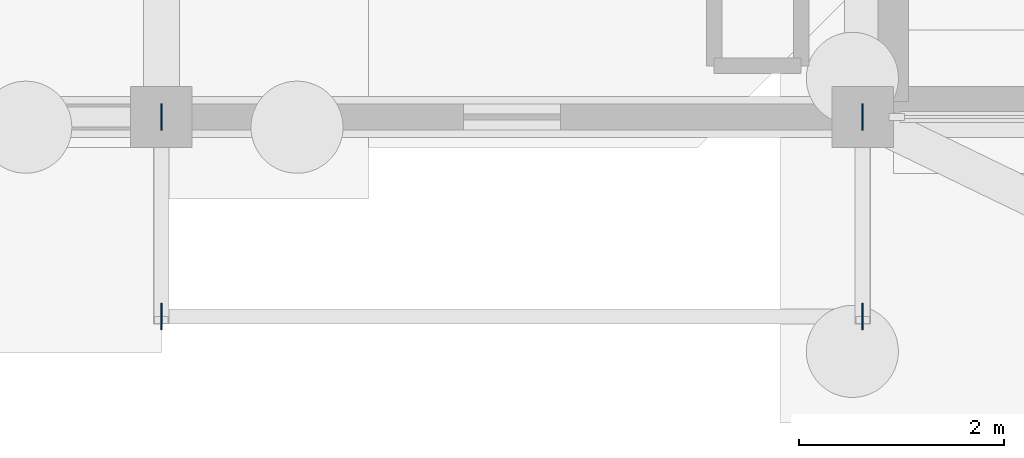
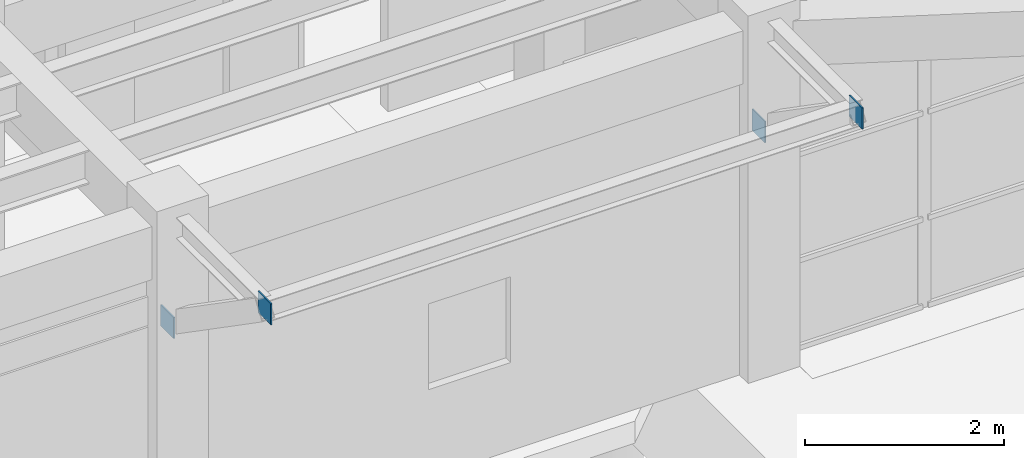
# One storey, part 22 of 41: 4 plates.
"""IFC4 building model written with IfcOpenShell, lengths in metres."""

import ifcopenshell
import ifcopenshell.guid

model = None  # the IFC model being written
_history = None  # IfcOwnerHistory: only IFC2X3 demands one
_inside = {}  # id of a spatial element -> (the spatial element, [elements in it])
_under = {}  # id of a project, library or spatial element -> (it, [spatial elements below it])
_declared = {}  # id of a project -> (the project, [libraries it declares])
_typed = {}  # id of a type object -> (the type object, [elements of that type])
_made_of = {}  # id of a material, layer set ... -> (it, [elements and type objects made of it])


def new_model(schema):
    """Start an empty IFC model of exactly this schema.

    Asked for "IFC4X3", IfcOpenShell would pick the latest addendum, in which some entities
    have other attributes; the version numbers below select the first issue.
    IFC2X3 requires an IfcOwnerHistory on every rooted entity: one is made here for all.
    """
    global model, _history
    if schema == "IFC4X3":
        model = ifcopenshell.file(schema_version=(4, 3, 0, 0))
    else:
        model = ifcopenshell.file(schema=schema)
    _inside.clear()
    _under.clear()
    _declared.clear()
    _typed.clear()
    _made_of.clear()
    _history = None
    if model.schema == "IFC2X3":
        org = make("IfcOrganization", Name="unknown")
        user = make(
            "IfcPersonAndOrganization",
            ThePerson=make("IfcPerson", FamilyName="unknown"),
            TheOrganization=org,
        )
        app = make(
            "IfcApplication",
            ApplicationDeveloper=org,
            Version="unknown",
            ApplicationFullName="unknown",
            ApplicationIdentifier="unknown",
        )
        _history = make(
            "IfcOwnerHistory",
            OwningUser=user,
            OwningApplication=app,
            ChangeAction="ADDED",
            CreationDate=0,
        )
    return model


def make(cls, **values):
    """One entity of the class cls with the attributes given. An attribute that is None is left unset."""
    return model.create_entity(
        cls, **{name: value for name, value in values.items() if value is not None}
    )


def rooted(cls, **values):
    """An entity with a GlobalId (a new one), such as an element, a storey or a relation."""
    return make(cls, GlobalId=ifcopenshell.guid.new(), OwnerHistory=_history, **values)


def si_unit(unit_type, name, prefix=None):
    """IfcSIUnit, for example si_unit("LENGTHUNIT", "METRE", prefix="MILLI")."""
    return make("IfcSIUnit", UnitType=unit_type, Prefix=prefix, Name=name)


def assignment(units):
    """IfcUnitAssignment: the units of a project."""
    return None if units is None else make("IfcUnitAssignment", Units=units)


def point(xyz):
    """IfcCartesianPoint."""
    return None if xyz is None else make("IfcCartesianPoint", Coordinates=xyz)


def direction(xyz):
    """IfcDirection."""
    return None if xyz is None else make("IfcDirection", DirectionRatios=xyz)


def frame(location, z_axis=None, x_axis=None):
    """IfcAxis2Placement3D, a coordinate frame: its origin and axes. An axis left out is left unset."""
    return make(
        "IfcAxis2Placement3D",
        Location=point(location),
        Axis=direction(z_axis),
        RefDirection=direction(x_axis),
    )


def frame_2d(location, x_axis=None):
    """IfcAxis2Placement2D, a coordinate frame in the plane: its origin and x axis."""
    return make(
        "IfcAxis2Placement2D", Location=point(location), RefDirection=direction(x_axis)
    )


def origin():
    """The frame at (0, 0, 0) with its axes left unset."""
    return frame((0.0, 0.0, 0.0))


def origin_2d():
    """The frame at (0, 0) in the plane with its x axis left unset."""
    return frame_2d((0.0, 0.0))


def place(relative_to, where):
    """IfcLocalPlacement: puts the frame where relative to a parent placement (None: the world)."""
    return make(
        "IfcLocalPlacement", PlacementRelTo=relative_to, RelativePlacement=where
    )


def context(
    kind, dimensions, precision=None, world=None, true_north=None, identifier=None
):
    """IfcGeometricRepresentationContext, for example the 3D "Model" context."""
    return make(
        "IfcGeometricRepresentationContext",
        ContextIdentifier=identifier,
        ContextType=kind,
        CoordinateSpaceDimension=dimensions,
        Precision=precision,
        WorldCoordinateSystem=world,
        TrueNorth=true_north,
    )


def subcontext(parent, identifier, kind, view, scale=None):
    """IfcGeometricRepresentationSubContext, for example "Body" below "Model"."""
    return make(
        "IfcGeometricRepresentationSubContext",
        ContextIdentifier=identifier,
        ContextType=kind,
        ParentContext=parent,
        TargetScale=scale,
        TargetView=view,
    )


def project(units=None, contexts=None):
    """IfcProject with its units and contexts."""
    return rooted(
        "IfcProject",
        Name="project",
        RepresentationContexts=contexts,
        UnitsInContext=assignment(units),
    )


def spatial(cls, under=None, at=None, **own):
    """A site, building, storey or space (cls), placed at a placement, below another one or the project."""
    s = rooted(cls, ObjectPlacement=at, **own)
    if under is not None:
        _under.setdefault(under.id(), (under, []))[1].append(s)
    return s


def profile(cls, at=None, kind="AREA", **sizes):
    """A parametric profile (cls). Its sizes go by their IFC names, for example OverallWidth=200.0."""
    return make(cls, ProfileType=kind, Position=at, **sizes)


def rectangle(**sizes):
    """IfcRectangleProfileDef."""
    return profile("IfcRectangleProfileDef", **sizes)


def extrude(swept, where, along, depth):
    """IfcExtrudedAreaSolid: the profile swept, set in the frame where, extruded along a direction by depth."""
    return make(
        "IfcExtrudedAreaSolid",
        SweptArea=swept,
        Position=where,
        ExtrudedDirection=direction(along),
        Depth=depth,
    )


def shape(context_of_items, identifier, shape_type, items):
    """IfcShapeRepresentation: the items that make up one representation, for example the "Body"."""
    return make(
        "IfcShapeRepresentation",
        ContextOfItems=context_of_items,
        RepresentationIdentifier=identifier,
        RepresentationType=shape_type,
        Items=items,
    )


def material(Name=None, Category=None):
    """IfcMaterial."""
    return make("IfcMaterial", Name=Name, Category=Category)


def layer(
    of_material, thickness, ventilated=None, Name=None, Category=None, Priority=None
):
    """IfcMaterialLayer: one layer of a wall or slab, of a material (None: an air gap)."""
    return make(
        "IfcMaterialLayer",
        Material=of_material,
        LayerThickness=thickness,
        IsVentilated=ventilated,
        Name=Name,
        Category=Category,
        Priority=Priority,
    )


def layer_set(layers, Name=None):
    """IfcMaterialLayerSet."""
    return make("IfcMaterialLayerSet", MaterialLayers=layers, LayerSetName=Name)


def made_of(thing, what):
    """Note that an element or type object is made of a material, layer set ...; save() writes the relation."""
    if what is not None:
        _made_of.setdefault(what.id(), (what, []))[1].append(thing)
    return thing


def type_object(cls, material=None, **own):
    """A type object (cls), such as IfcWallType, which elements share."""
    return made_of(rooted(cls, **own), material)


def element(
    cls,
    number,
    at=None,
    inside=None,
    cuts=None,
    type_object=None,
    material=None,
    context=None,
    identifier="Body",
    shape_type=None,
    held_by="IfcProductDefinitionShape",
    body=None,
    shapes=None,
    **own,
):
    """One element of the class cls, such as IfcWall. Its Tag is "e" and its number.

    at: its placement. inside: the storey or other place that contains it. cuts: it is an
    opening in that element (IfcRelVoidsElement). A single representation is given by context,
    identifier, shape_type and body (its items); several are given by shapes. held_by: the class
    of the entity that holds the representations. save() writes the other relations.
    """
    e = rooted(cls, Tag="e%d" % number, ObjectPlacement=at, **own)
    if body is not None:
        shapes = [shape(context, identifier, shape_type, body)]
    if shapes is not None:
        e.Representation = make(held_by, Representations=shapes)
    if inside is not None:
        _inside.setdefault(inside.id(), (inside, []))[1].append(e)
    if cuts is not None:
        rooted(
            "IfcRelVoidsElement", RelatingBuildingElement=cuts, RelatedOpeningElement=e
        )
    if type_object is not None:
        _typed.setdefault(type_object.id(), (type_object, []))[1].append(e)
    return made_of(e, material)


def aggregate(whole, parts):
    """IfcRelAggregates: a whole, such as a stair, and the parts it consists of."""
    return rooted("IfcRelAggregates", RelatingObject=whole, RelatedObjects=parts)


def save(model, path):
    """Write the relations noted so far, then the file.

    IfcRelAggregates (storeys below a building ...), IfcRelContainedInSpatialStructure (elements
    in a storey), IfcRelDefinesByType, IfcRelAssociatesMaterial and IfcRelDeclares: one each for
    every whole, place, type object, material and project.
    """
    for whole, parts in _under.values():
        aggregate(whole, parts)
    for where, things in _inside.values():
        rooted(
            "IfcRelContainedInSpatialStructure",
            RelatedElements=things,
            RelatingStructure=where,
        )
    for kind, things in _typed.values():
        rooted("IfcRelDefinesByType", RelatedObjects=things, RelatingType=kind)
    for what, things in _made_of.values():
        rooted("IfcRelAssociatesMaterial", RelatedObjects=things, RelatingMaterial=what)
    for by, libraries in _declared.values():
        rooted("IfcRelDeclares", RelatingContext=by, RelatedDefinitions=libraries)
    model.write(path)


model = new_model("IFC4")

# Units and contexts
model_context = context("Model", 3, precision=1e-05, world=origin(), true_north=direction((0.0, 1.0)))
body_context = subcontext(model_context, "Body", "Model", "MODEL_VIEW")
ifc_project = project(units=[si_unit("LENGTHUNIT", "METRE"), si_unit("AREAUNIT", "SQUARE_METRE"), si_unit("VOLUMEUNIT", "CUBIC_METRE"), si_unit("PLANEANGLEUNIT", "RADIAN"), si_unit("MASSUNIT", "GRAM", prefix="KILO")], contexts=[model_context])

# Site, building, storey
site_placement = place(None, origin())
site = spatial("IfcSite", under=ifc_project, at=site_placement, CompositionType="ELEMENT")
building_placement = place(site_placement, origin())
building = spatial("IfcBuilding", under=site, at=building_placement, Name="Candilejo Ridge Gondola Terminal", CompositionType="ELEMENT")
storey_placement = place(building_placement, origin())
storey = spatial("IfcBuildingStorey", under=building, at=storey_placement, Name="L00", CompositionType="ELEMENT", Elevation=0.0)

# Plates
ifc_material = material(Name="Steel ASTM A572 Grade 50", Category="steel")
ifc_layer = layer(ifc_material, 0.01611328125)
ifc_layer_set = layer_set([ifc_layer], Name="STR-NODE-PLATE-260X260X16")
plate_type = type_object("IfcPlateType", Name="STR-NODE-PLATE-260X260X16", PredefinedType="USERDEFINED", material=ifc_layer_set)
for number, where, z_axis, x_axis, name in (
    (1, (51.5, 25.699951171875, 2.7412109375), (0.0, 0.0, 1.0), (1.0, 0.0, 0.0), "Canopy strut gusset plate 013"),
    (2, (51.5, 23.75, 4.0908203125), (0.0, 0.0, 1.0), (1.0, 0.0, 0.0), "Canopy strut gusset plate 014"),
    (3, (58.35009765625, 25.699951171875, 2.7412109375), (0.0, 0.0, 1.0), (1.0, 0.0, 0.0), "Canopy strut gusset plate 015"),
    (4, (58.35009765625, 23.75, 4.0908203125), (0.0, 0.0, 1.0), (1.0, 0.0, 0.0), "Canopy strut gusset plate 016"),
):
    element("IfcPlate", number, at=place(storey_placement, frame(where, z_axis=z_axis, x_axis=x_axis)), inside=storey, type_object=plate_type, Name=name, ObjectType="NODE PLATE", PredefinedType="USERDEFINED", context=body_context, shape_type="SweptSolid", body=[
        extrude(rectangle(XDim=0.01611328125, YDim=0.260009765625, at=origin_2d()), origin(), (0.0, 0.0, 1.0), 0.260009765625),
    ])

save(model, "model.ifc")
